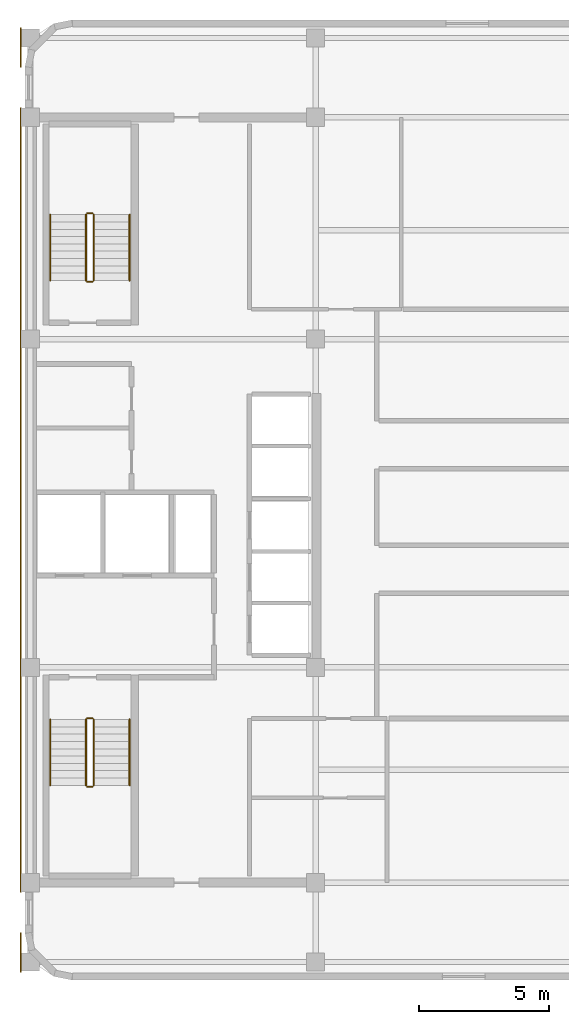
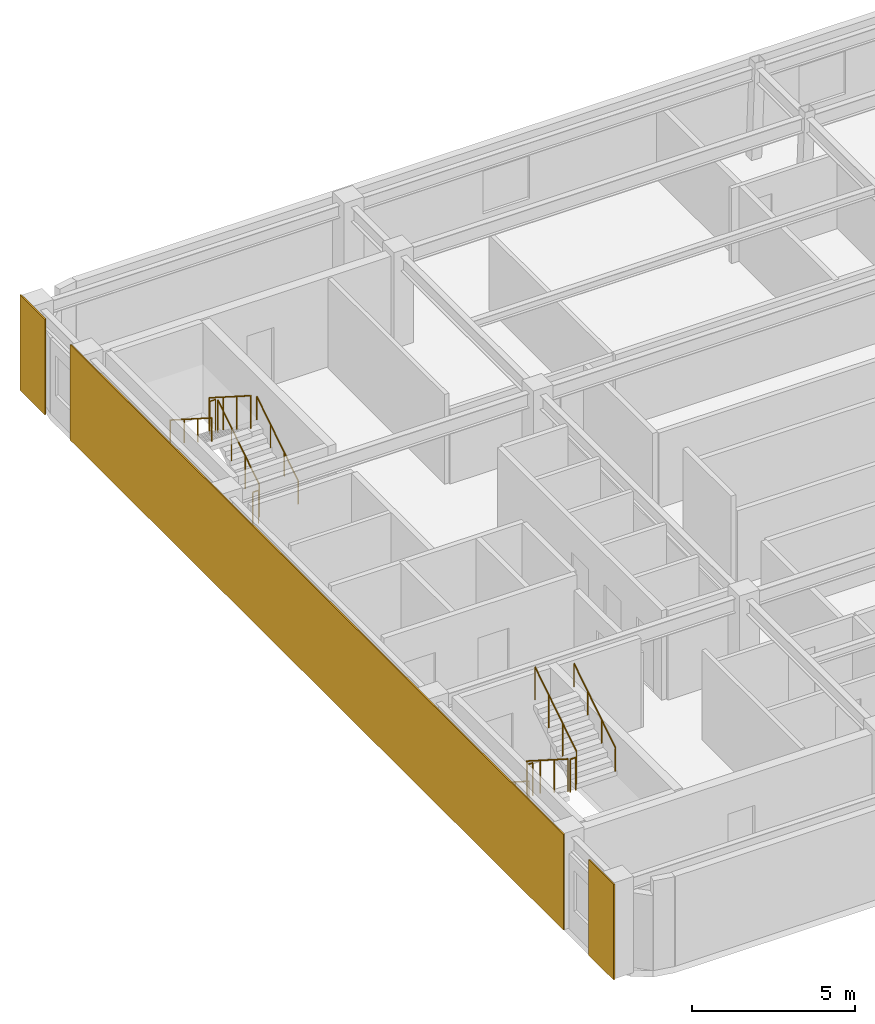
# One storey, part 6 of 6: 12 railings, 3 coverings.
"""IFC4 building model written with IfcOpenShell, lengths in metres."""

from ifc_helpers import new_model, si_unit, direction, frame, origin, origin_2d, place, context, subcontext, project, spatial, rectangle, circle, extrude, material, layer, layer_set, type_object, element, save


model = new_model("IFC4")

# Units and contexts
model_context = context("Model", 3, precision=1e-05, world=origin(), true_north=direction((0.0, 1.0)))
body_context = subcontext(model_context, "Body", "Model", "MODEL_VIEW")
ifc_project = project(units=[si_unit("LENGTHUNIT", "METRE"), si_unit("AREAUNIT", "SQUARE_METRE"), si_unit("VOLUMEUNIT", "CUBIC_METRE"), si_unit("PLANEANGLEUNIT", "RADIAN"), si_unit("MASSUNIT", "GRAM", prefix="KILO")], contexts=[model_context])

# Site, building, storey
site_placement = place(None, origin())
site = spatial("IfcSite", under=ifc_project, at=site_placement, CompositionType="ELEMENT")
building_placement = place(site_placement, origin())
building = spatial("IfcBuilding", under=site, at=building_placement, Name="Ochreholt Gables", CompositionType="ELEMENT")
storey_placement = place(building_placement, frame((0.0, 0.0, 274.800048828125)))
storey = spatial("IfcBuildingStorey", under=building, at=storey_placement, Name="L72", CompositionType="ELEMENT", Elevation=274.800048828125)

# Coverings
ifc_material_1 = material(Name="Glazed Ochre Terracotta Rainscreen Cladding", Category="masonry")
ifc_layer = layer(ifc_material_1, 0.044921875, Name="Glazed Ochre Terracotta Rainscreen Cladding")
ifc_layer_set = layer_set([ifc_layer], Name="Glazed Ochre Terracotta Rainscreen Cladding")
covering_type = type_object("IfcCoveringType", Name="COV-CLAD-TC", PredefinedType="CLADDING", material=ifc_layer_set)
covering_placement = place(storey_placement, frame((23.827880859375, 24.0, 0.010009765625), z_axis=(0.0, 0.0, 1.0), x_axis=(0.0, 1.0, 0.0)))
element("IfcCovering", 1, at=covering_placement, inside=storey, type_object=covering_type, Name="L72 West Core Terracotta Rainscreen Cladding", PredefinedType="CLADDING", context=body_context, shape_type="SweptSolid", body=[
    extrude(rectangle(XDim=30.239990234375, YDim=0.044921875, at=origin_2d()), origin(), (0.0, 0.0, 1.0), 3.580078125),
])
for number, where, z_axis, x_axis, name in (
    (2, (23.827880859375, 6.56005859375, 0.010009765625), (0.0, 0.0, 1.0), (0.0, 1.0, 0.0), "L72 South-West Pier Terracotta Cladding"),
    (3, (23.827880859375, 41.43994140625, 0.010009765625), (0.0, 0.0, 1.0), (0.0, 1.0, 0.0), "L72 North-West Pier Terracotta Cladding"),
):
    element("IfcCovering", number, at=place(storey_placement, frame(where, z_axis=z_axis, x_axis=x_axis)), inside=storey, type_object=covering_type, Name=name, PredefinedType="CLADDING", context=body_context, shape_type="SweptSolid", body=[
        extrude(rectangle(XDim=1.52001953125, YDim=0.044921875, at=origin_2d()), origin(), (0.0, 0.0, 1.0), 3.580078125),
    ])

# Railings
ifc_material_2 = material(Name="Painted Steel Stair Guardrail", Category="steel")
railing_type_1 = type_object("IfcRailingType", Name="RL-ST-GUARD", PredefinedType="GUARDRAIL", material=ifc_material_2)
railing_1_placement = place(storey_placement, frame((26.35009765625, 15.5400390625, 0.179931640625)))
element("IfcRailing", 4, at=railing_1_placement, inside=storey, type_object=railing_type_1, Name="L72 ST-1 stair guard 1", PredefinedType="GUARDRAIL", context=body_context, shape_type="SweptSolid", body=[
    extrude(circle(Radius=0.02392578125, at=origin_2d()), frame((0.0, 0.0, 1.22607421875), z_axis=(0.0, -0.842912820907, 0.538050161556), x_axis=(1.0, 0.0, 0.0)), (0.0, 0.0, 1.0), 3.010986328125),
    extrude(circle(Radius=0.02099609375, at=origin_2d()), origin(), (0.0, 0.0, 1.0), 1.201904296875),
    extrude(circle(Radius=0.02099609375, at=origin_2d()), frame((0.0, -0.845947265625, 0.5400390625)), (0.0, 0.0, 1.0), 1.201904296875),
    extrude(circle(Radius=0.02099609375, at=origin_2d()), frame((0.0, -1.692138671875, 1.080078125)), (0.0, 0.0, 1.0), 1.201904296875),
    extrude(circle(Radius=0.02099609375, at=origin_2d()), frame((0.0, -2.5380859375, 1.6201171875)), (0.0, 0.0, 1.0), 1.201904296875),
])
railing_2_placement = place(storey_placement, frame((26.39990234375, 12.951904296875, 1.800048828125)))
element("IfcRailing", 5, at=railing_2_placement, inside=storey, type_object=railing_type_1, Name="L72 ST-1 stair guard 2", PredefinedType="GUARDRAIL", context=body_context, shape_type="SweptSolid", body=[
    extrude(circle(Radius=0.02392578125, at=origin_2d()), frame((0.0, 0.0, 1.22607421875), z_axis=(1.0, 0.0, 0.0), x_axis=(0.0, 1.0, 0.0)), (0.0, 0.0, 1.0), 0.2001953125),
    extrude(circle(Radius=0.02099609375, at=origin_2d()), origin(), (0.0, 0.0, 1.0), 1.201904296875),
    extrude(circle(Radius=0.02099609375, at=origin_2d()), frame((0.2001953125, 0.0, 0.0)), (0.0, 0.0, 1.0), 1.201904296875),
])
railing_3_placement = place(storey_placement, frame((26.64990234375, 13.001953125, 1.97998046875)))
element("IfcRailing", 6, at=railing_3_placement, inside=storey, type_object=railing_type_1, Name="L72 ST-1 stair guard 3", PredefinedType="GUARDRAIL", context=body_context, shape_type="SweptSolid", body=[
    extrude(circle(Radius=0.02392578125, at=origin_2d()), frame((0.0, 0.0, 1.22607421875), z_axis=(0.0, 0.842949592929, 0.537992549931), x_axis=(-1.0, 0.0, 0.0)), (0.0, 0.0, 1.0), 3.010986328125),
    extrude(circle(Radius=0.02099609375, at=origin_2d()), origin(), (0.0, 0.0, 1.0), 1.201904296875),
    extrude(circle(Radius=0.02099609375, at=origin_2d()), frame((0.0, 0.845947265625, 0.5400390625)), (0.0, 0.0, 1.0), 1.201904296875),
    extrude(circle(Radius=0.02099609375, at=origin_2d()), frame((0.0, 1.692138671875, 1.079833984375)), (0.0, 0.0, 1.0), 1.201904296875),
    extrude(circle(Radius=0.02099609375, at=origin_2d()), frame((0.0, 2.5380859375, 1.619873046875)), (0.0, 0.0, 1.0), 1.201904296875),
])
railing_4_placement = place(storey_placement, frame((26.39990234375, 15.590087890625, 0.0)))
element("IfcRailing", 7, at=railing_4_placement, inside=storey, type_object=railing_type_1, Name="L72 ST-1 stair guard 4", PredefinedType="GUARDRAIL", context=body_context, shape_type="SweptSolid", body=[
    extrude(circle(Radius=0.02392578125, at=origin_2d()), frame((0.0, 0.0, 1.22607421875), z_axis=(1.0, 0.0, 0.0), x_axis=(0.0, 1.0, 0.0)), (0.0, 0.0, 1.0), 0.2001953125),
    extrude(circle(Radius=0.02099609375, at=origin_2d()), origin(), (0.0, 0.0, 1.0), 1.201904296875),
    extrude(circle(Radius=0.02099609375, at=origin_2d()), frame((0.2001953125, 0.0, 0.0)), (0.0, 0.0, 1.0), 1.201904296875),
])
railing_5_placement = place(storey_placement, frame((26.64990234375, 32.4599609375, 0.179931640625)))
element("IfcRailing", 8, at=railing_5_placement, inside=storey, type_object=railing_type_1, Name="L72 ST-2 stair guard 1", PredefinedType="GUARDRAIL", context=body_context, shape_type="SweptSolid", body=[
    extrude(circle(Radius=0.02392578125, at=origin_2d()), frame((0.0, 0.0, 1.22607421875), z_axis=(0.0, 0.842912820907, 0.538050161556), x_axis=(-1.0, 0.0, 0.0)), (0.0, 0.0, 1.0), 3.010986328125),
    extrude(circle(Radius=0.02099609375, at=origin_2d()), origin(), (0.0, 0.0, 1.0), 1.201904296875),
    extrude(circle(Radius=0.02099609375, at=origin_2d()), frame((0.0, 0.845947265625, 0.5400390625)), (0.0, 0.0, 1.0), 1.201904296875),
    extrude(circle(Radius=0.02099609375, at=origin_2d()), frame((0.0, 1.692138671875, 1.080078125)), (0.0, 0.0, 1.0), 1.201904296875),
    extrude(circle(Radius=0.02099609375, at=origin_2d()), frame((0.0, 2.5380859375, 1.6201171875)), (0.0, 0.0, 1.0), 1.201904296875),
])
railing_6_placement = place(storey_placement, frame((26.60009765625, 35.048095703125, 1.800048828125)))
element("IfcRailing", 9, at=railing_6_placement, inside=storey, type_object=railing_type_1, Name="L72 ST-2 stair guard 2", PredefinedType="GUARDRAIL", context=body_context, shape_type="SweptSolid", body=[
    extrude(circle(Radius=0.02392578125, at=origin_2d()), frame((0.0, 0.0, 1.22607421875), z_axis=(-1.0, 0.0, 0.0), x_axis=(0.0, -1.0, 0.0)), (0.0, 0.0, 1.0), 0.2001953125),
    extrude(circle(Radius=0.02099609375, at=origin_2d()), origin(), (0.0, 0.0, 1.0), 1.201904296875),
    extrude(circle(Radius=0.02099609375, at=origin_2d()), frame((-0.2001953125, 0.0, 0.0)), (0.0, 0.0, 1.0), 1.201904296875),
])
railing_7_placement = place(storey_placement, frame((26.35009765625, 34.998046875, 1.97998046875)))
element("IfcRailing", 10, at=railing_7_placement, inside=storey, type_object=railing_type_1, Name="L72 ST-2 stair guard 3", PredefinedType="GUARDRAIL", context=body_context, shape_type="SweptSolid", body=[
    extrude(circle(Radius=0.02392578125, at=origin_2d()), frame((0.0, 0.0, 1.22607421875), z_axis=(0.0, -0.842949592929, 0.537992549931), x_axis=(1.0, 0.0, 0.0)), (0.0, 0.0, 1.0), 3.010986328125),
    extrude(circle(Radius=0.02099609375, at=origin_2d()), origin(), (0.0, 0.0, 1.0), 1.201904296875),
    extrude(circle(Radius=0.02099609375, at=origin_2d()), frame((0.0, -0.845947265625, 0.5400390625)), (0.0, 0.0, 1.0), 1.201904296875),
    extrude(circle(Radius=0.02099609375, at=origin_2d()), frame((0.0, -1.692138671875, 1.079833984375)), (0.0, 0.0, 1.0), 1.201904296875),
    extrude(circle(Radius=0.02099609375, at=origin_2d()), frame((0.0, -2.5380859375, 1.619873046875)), (0.0, 0.0, 1.0), 1.201904296875),
])
railing_8_placement = place(storey_placement, frame((26.60009765625, 32.409912109375, 0.0)))
element("IfcRailing", 11, at=railing_8_placement, inside=storey, type_object=railing_type_1, Name="L72 ST-2 stair guard 4", PredefinedType="GUARDRAIL", context=body_context, shape_type="SweptSolid", body=[
    extrude(circle(Radius=0.02392578125, at=origin_2d()), frame((0.0, 0.0, 1.22607421875), z_axis=(-1.0, 0.0, 0.0), x_axis=(0.0, -1.0, 0.0)), (0.0, 0.0, 1.0), 0.2001953125),
    extrude(circle(Radius=0.02099609375, at=origin_2d()), origin(), (0.0, 0.0, 1.0), 1.201904296875),
    extrude(circle(Radius=0.02099609375, at=origin_2d()), frame((-0.2001953125, 0.0, 0.0)), (0.0, 0.0, 1.0), 1.201904296875),
])
ifc_material_3 = material(Name="Brushed Stainless Steel Wall Handrail", Category="steel")
railing_type_2 = type_object("IfcRailingType", Name="RL-ST-HAND", PredefinedType="HANDRAIL", material=ifc_material_3)
railing_9_placement = place(storey_placement, frame((24.969970703125, 15.5400390625, 0.179931640625)))
element("IfcRailing", 12, at=railing_9_placement, inside=storey, type_object=railing_type_2, Name="L72 ST-1 stair handrail 1", PredefinedType="HANDRAIL", context=body_context, shape_type="SweptSolid", body=[
    extrude(circle(Radius=0.02392578125, at=origin_2d()), frame((0.0, 0.0, 0.8759765625), z_axis=(0.0, -0.842912820907, 0.538050161556), x_axis=(1.0, 0.0, 0.0)), (0.0, 0.0, 1.0), 3.010986328125),
    extrude(circle(Radius=0.02099609375, at=origin_2d()), origin(), (0.0, 0.0, 1.0), 0.851806640625),
    extrude(circle(Radius=0.02099609375, at=origin_2d()), frame((0.0, -0.845947265625, 0.5400390625)), (0.0, 0.0, 1.0), 0.851806640625),
    extrude(circle(Radius=0.02099609375, at=origin_2d()), frame((0.0, -1.692138671875, 1.080078125)), (0.0, 0.0, 1.0), 0.851806640625),
    extrude(circle(Radius=0.02099609375, at=origin_2d()), frame((0.0, -2.5380859375, 1.6201171875)), (0.0, 0.0, 1.0), 0.851806640625),
])
railing_10_placement = place(storey_placement, frame((28.030029296875, 13.001953125, 1.97998046875)))
element("IfcRailing", 13, at=railing_10_placement, inside=storey, type_object=railing_type_2, Name="L72 ST-1 stair handrail 2", PredefinedType="HANDRAIL", context=body_context, shape_type="SweptSolid", body=[
    extrude(circle(Radius=0.02392578125, at=origin_2d()), frame((0.0, 0.0, 0.8759765625), z_axis=(0.0, 0.842949592929, 0.537992549931), x_axis=(-1.0, 0.0, 0.0)), (0.0, 0.0, 1.0), 3.010986328125),
    extrude(circle(Radius=0.02099609375, at=origin_2d()), origin(), (0.0, 0.0, 1.0), 0.851806640625),
    extrude(circle(Radius=0.02099609375, at=origin_2d()), frame((0.0, 0.845947265625, 0.5400390625)), (0.0, 0.0, 1.0), 0.851806640625),
    extrude(circle(Radius=0.02099609375, at=origin_2d()), frame((0.0, 1.692138671875, 1.079833984375)), (0.0, 0.0, 1.0), 0.851806640625),
    extrude(circle(Radius=0.02099609375, at=origin_2d()), frame((0.0, 2.5380859375, 1.619873046875)), (0.0, 0.0, 1.0), 0.851806640625),
])
railing_11_placement = place(storey_placement, frame((28.030029296875, 32.4599609375, 0.179931640625)))
element("IfcRailing", 14, at=railing_11_placement, inside=storey, type_object=railing_type_2, Name="L72 ST-2 stair handrail 1", PredefinedType="HANDRAIL", context=body_context, shape_type="SweptSolid", body=[
    extrude(circle(Radius=0.02392578125, at=origin_2d()), frame((0.0, 0.0, 0.8759765625), z_axis=(0.0, 0.842912820907, 0.538050161556), x_axis=(-1.0, 0.0, 0.0)), (0.0, 0.0, 1.0), 3.010986328125),
    extrude(circle(Radius=0.02099609375, at=origin_2d()), origin(), (0.0, 0.0, 1.0), 0.851806640625),
    extrude(circle(Radius=0.02099609375, at=origin_2d()), frame((0.0, 0.845947265625, 0.5400390625)), (0.0, 0.0, 1.0), 0.851806640625),
    extrude(circle(Radius=0.02099609375, at=origin_2d()), frame((0.0, 1.692138671875, 1.080078125)), (0.0, 0.0, 1.0), 0.851806640625),
    extrude(circle(Radius=0.02099609375, at=origin_2d()), frame((0.0, 2.5380859375, 1.6201171875)), (0.0, 0.0, 1.0), 0.851806640625),
])
railing_12_placement = place(storey_placement, frame((24.969970703125, 34.998046875, 1.97998046875)))
element("IfcRailing", 15, at=railing_12_placement, inside=storey, type_object=railing_type_2, Name="L72 ST-2 stair handrail 2", PredefinedType="HANDRAIL", context=body_context, shape_type="SweptSolid", body=[
    extrude(circle(Radius=0.02392578125, at=origin_2d()), frame((0.0, 0.0, 0.8759765625), z_axis=(0.0, -0.842949592929, 0.537992549931), x_axis=(1.0, 0.0, 0.0)), (0.0, 0.0, 1.0), 3.010986328125),
    extrude(circle(Radius=0.02099609375, at=origin_2d()), origin(), (0.0, 0.0, 1.0), 0.851806640625),
    extrude(circle(Radius=0.02099609375, at=origin_2d()), frame((0.0, -0.845947265625, 0.5400390625)), (0.0, 0.0, 1.0), 0.851806640625),
    extrude(circle(Radius=0.02099609375, at=origin_2d()), frame((0.0, -1.692138671875, 1.079833984375)), (0.0, 0.0, 1.0), 0.851806640625),
    extrude(circle(Radius=0.02099609375, at=origin_2d()), frame((0.0, -2.5380859375, 1.619873046875)), (0.0, 0.0, 1.0), 0.851806640625),
])

save(model, "model.ifc")
